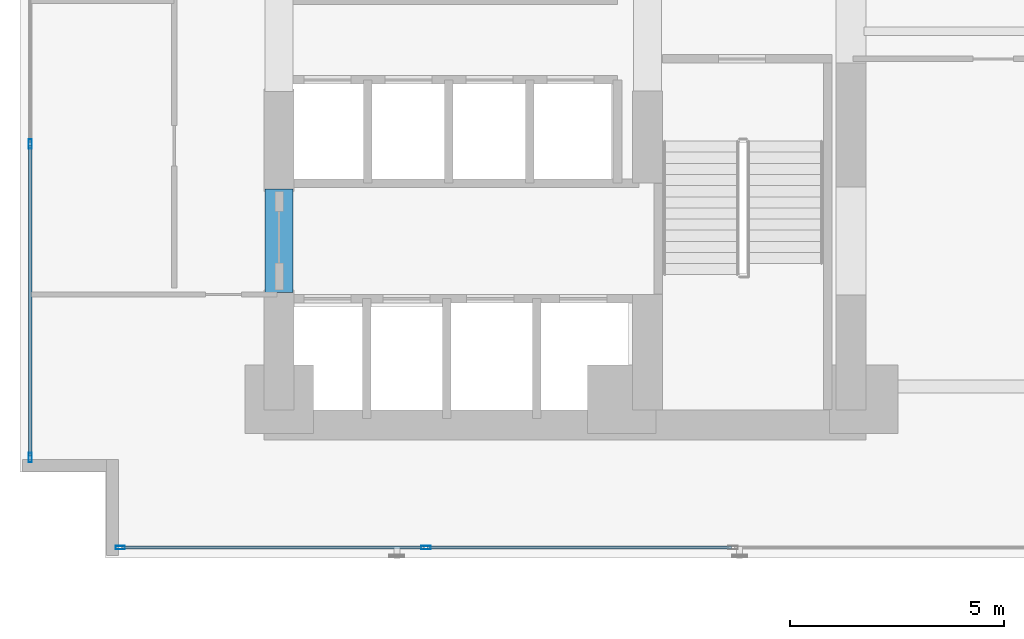
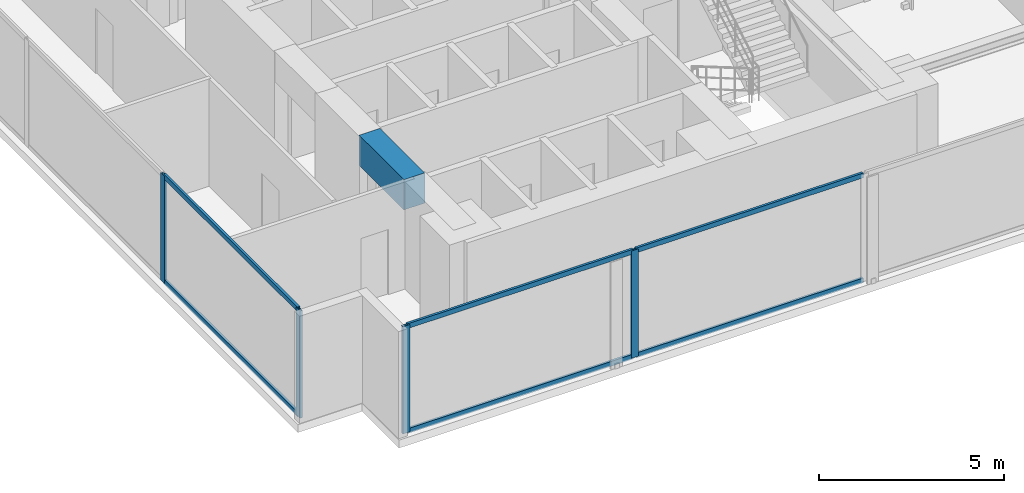
# One storey, part 2 of 28: 10 members, 1 beam, 2 elements without a shape of their own.
"""IFC4 building model written with IfcOpenShell, lengths in metres."""

import ifcopenshell
import ifcopenshell.guid

model = None  # the IFC model being written
_history = None  # IfcOwnerHistory: only IFC2X3 demands one
_inside = {}  # id of a spatial element -> (the spatial element, [elements in it])
_under = {}  # id of a project, library or spatial element -> (it, [spatial elements below it])
_declared = {}  # id of a project -> (the project, [libraries it declares])
_typed = {}  # id of a type object -> (the type object, [elements of that type])
_made_of = {}  # id of a material, layer set ... -> (it, [elements and type objects made of it])


def new_model(schema):
    """Start an empty IFC model of exactly this schema.

    Asked for "IFC4X3", IfcOpenShell would pick the latest addendum, in which some entities
    have other attributes; the version numbers below select the first issue.
    IFC2X3 requires an IfcOwnerHistory on every rooted entity: one is made here for all.
    """
    global model, _history
    if schema == "IFC4X3":
        model = ifcopenshell.file(schema_version=(4, 3, 0, 0))
    else:
        model = ifcopenshell.file(schema=schema)
    _inside.clear()
    _under.clear()
    _declared.clear()
    _typed.clear()
    _made_of.clear()
    _history = None
    if model.schema == "IFC2X3":
        org = make("IfcOrganization", Name="unknown")
        user = make(
            "IfcPersonAndOrganization",
            ThePerson=make("IfcPerson", FamilyName="unknown"),
            TheOrganization=org,
        )
        app = make(
            "IfcApplication",
            ApplicationDeveloper=org,
            Version="unknown",
            ApplicationFullName="unknown",
            ApplicationIdentifier="unknown",
        )
        _history = make(
            "IfcOwnerHistory",
            OwningUser=user,
            OwningApplication=app,
            ChangeAction="ADDED",
            CreationDate=0,
        )
    return model


def make(cls, **values):
    """One entity of the class cls with the attributes given. An attribute that is None is left unset."""
    return model.create_entity(
        cls, **{name: value for name, value in values.items() if value is not None}
    )


def rooted(cls, **values):
    """An entity with a GlobalId (a new one), such as an element, a storey or a relation."""
    return make(cls, GlobalId=ifcopenshell.guid.new(), OwnerHistory=_history, **values)


def si_unit(unit_type, name, prefix=None):
    """IfcSIUnit, for example si_unit("LENGTHUNIT", "METRE", prefix="MILLI")."""
    return make("IfcSIUnit", UnitType=unit_type, Prefix=prefix, Name=name)


def assignment(units):
    """IfcUnitAssignment: the units of a project."""
    return None if units is None else make("IfcUnitAssignment", Units=units)


def point(xyz):
    """IfcCartesianPoint."""
    return None if xyz is None else make("IfcCartesianPoint", Coordinates=xyz)


def direction(xyz):
    """IfcDirection."""
    return None if xyz is None else make("IfcDirection", DirectionRatios=xyz)


def frame(location, z_axis=None, x_axis=None):
    """IfcAxis2Placement3D, a coordinate frame: its origin and axes. An axis left out is left unset."""
    return make(
        "IfcAxis2Placement3D",
        Location=point(location),
        Axis=direction(z_axis),
        RefDirection=direction(x_axis),
    )


def frame_2d(location, x_axis=None):
    """IfcAxis2Placement2D, a coordinate frame in the plane: its origin and x axis."""
    return make(
        "IfcAxis2Placement2D", Location=point(location), RefDirection=direction(x_axis)
    )


def origin():
    """The frame at (0, 0, 0) with its axes left unset."""
    return frame((0.0, 0.0, 0.0))


def origin_with_axes():
    """The frame at (0, 0, 0) with the z axis (0, 0, 1) and the x axis (1, 0, 0) written out."""
    return frame((0.0, 0.0, 0.0), z_axis=(0.0, 0.0, 1.0), x_axis=(1.0, 0.0, 0.0))


def origin_2d():
    """The frame at (0, 0) in the plane with its x axis left unset."""
    return frame_2d((0.0, 0.0))


def place(relative_to, where):
    """IfcLocalPlacement: puts the frame where relative to a parent placement (None: the world)."""
    return make(
        "IfcLocalPlacement", PlacementRelTo=relative_to, RelativePlacement=where
    )


def context(
    kind, dimensions, precision=None, world=None, true_north=None, identifier=None
):
    """IfcGeometricRepresentationContext, for example the 3D "Model" context."""
    return make(
        "IfcGeometricRepresentationContext",
        ContextIdentifier=identifier,
        ContextType=kind,
        CoordinateSpaceDimension=dimensions,
        Precision=precision,
        WorldCoordinateSystem=world,
        TrueNorth=true_north,
    )


def subcontext(parent, identifier, kind, view, scale=None):
    """IfcGeometricRepresentationSubContext, for example "Body" below "Model"."""
    return make(
        "IfcGeometricRepresentationSubContext",
        ContextIdentifier=identifier,
        ContextType=kind,
        ParentContext=parent,
        TargetScale=scale,
        TargetView=view,
    )


def project(units=None, contexts=None):
    """IfcProject with its units and contexts."""
    return rooted(
        "IfcProject",
        Name="project",
        RepresentationContexts=contexts,
        UnitsInContext=assignment(units),
    )


def spatial(cls, under=None, at=None, **own):
    """A site, building, storey or space (cls), placed at a placement, below another one or the project."""
    s = rooted(cls, ObjectPlacement=at, **own)
    if under is not None:
        _under.setdefault(under.id(), (under, []))[1].append(s)
    return s


def profile(cls, at=None, kind="AREA", **sizes):
    """A parametric profile (cls). Its sizes go by their IFC names, for example OverallWidth=200.0."""
    return make(cls, ProfileType=kind, Position=at, **sizes)


def rectangle(**sizes):
    """IfcRectangleProfileDef."""
    return profile("IfcRectangleProfileDef", **sizes)


def hollow_rectangle(**sizes):
    """IfcRectangleHollowProfileDef."""
    return profile("IfcRectangleHollowProfileDef", **sizes)


def extrude(swept, where, along, depth):
    """IfcExtrudedAreaSolid: the profile swept, set in the frame where, extruded along a direction by depth."""
    return make(
        "IfcExtrudedAreaSolid",
        SweptArea=swept,
        Position=where,
        ExtrudedDirection=direction(along),
        Depth=depth,
    )


def shape(context_of_items, identifier, shape_type, items):
    """IfcShapeRepresentation: the items that make up one representation, for example the "Body"."""
    return make(
        "IfcShapeRepresentation",
        ContextOfItems=context_of_items,
        RepresentationIdentifier=identifier,
        RepresentationType=shape_type,
        Items=items,
    )


def source(mapping_origin, context_of_items, identifier, shape_type, items):
    """IfcRepresentationMap: a shape defined once, which mapped items show again and again."""
    return make(
        "IfcRepresentationMap",
        MappingOrigin=mapping_origin,
        MappedRepresentation=shape(context_of_items, identifier, shape_type, items),
    )


def transform(
    local_origin,
    x_axis=None,
    y_axis=None,
    z_axis=None,
    scale=None,
    scale2=None,
    scale3=None,
    uniform=True,
):
    """IfcCartesianTransformationOperator3D, or its non-uniform kind. x_axis, y_axis, z_axis: its Axis1, 2, 3."""
    if uniform:
        return make(
            "IfcCartesianTransformationOperator3D",
            Axis1=direction(x_axis),
            Axis2=direction(y_axis),
            LocalOrigin=point(local_origin),
            Scale=scale,
            Axis3=direction(z_axis),
        )
    return make(
        "IfcCartesianTransformationOperator3DnonUniform",
        Axis1=direction(x_axis),
        Axis2=direction(y_axis),
        LocalOrigin=point(local_origin),
        Scale=scale,
        Axis3=direction(z_axis),
        Scale2=scale2,
        Scale3=scale3,
    )


def mapped(mapping_source, mapping_target):
    """IfcMappedItem: shows the shape of a source again, moved by a transform."""
    return make(
        "IfcMappedItem", MappingSource=mapping_source, MappingTarget=mapping_target
    )


def material(Name=None, Category=None):
    """IfcMaterial."""
    return make("IfcMaterial", Name=Name, Category=Category)


def layer(
    of_material, thickness, ventilated=None, Name=None, Category=None, Priority=None
):
    """IfcMaterialLayer: one layer of a wall or slab, of a material (None: an air gap)."""
    return make(
        "IfcMaterialLayer",
        Material=of_material,
        LayerThickness=thickness,
        IsVentilated=ventilated,
        Name=Name,
        Category=Category,
        Priority=Priority,
    )


def layer_set(layers, Name=None):
    """IfcMaterialLayerSet."""
    return make("IfcMaterialLayerSet", MaterialLayers=layers, LayerSetName=Name)


def material_profile(
    of_material, cross_section, Name=None, Category=None, Priority=None
):
    """IfcMaterialProfile: a cross section and its material."""
    return make(
        "IfcMaterialProfile",
        Name=Name,
        Material=of_material,
        Profile=cross_section,
        Priority=Priority,
        Category=Category,
    )


def profile_set(profiles, Name=None, composite=None):
    """IfcMaterialProfileSet."""
    return make(
        "IfcMaterialProfileSet",
        Name=Name,
        MaterialProfiles=profiles,
        CompositeProfile=composite,
    )


def made_of(thing, what):
    """Note that an element or type object is made of a material, layer set ...; save() writes the relation."""
    if what is not None:
        _made_of.setdefault(what.id(), (what, []))[1].append(thing)
    return thing


def type_object(cls, material=None, **own):
    """A type object (cls), such as IfcWallType, which elements share."""
    return made_of(rooted(cls, **own), material)


def element(
    cls,
    number,
    at=None,
    inside=None,
    cuts=None,
    type_object=None,
    material=None,
    context=None,
    identifier="Body",
    shape_type=None,
    held_by="IfcProductDefinitionShape",
    body=None,
    shapes=None,
    **own,
):
    """One element of the class cls, such as IfcWall. Its Tag is "e" and its number.

    at: its placement. inside: the storey or other place that contains it. cuts: it is an
    opening in that element (IfcRelVoidsElement). A single representation is given by context,
    identifier, shape_type and body (its items); several are given by shapes. held_by: the class
    of the entity that holds the representations. save() writes the other relations.
    """
    e = rooted(cls, Tag="e%d" % number, ObjectPlacement=at, **own)
    if body is not None:
        shapes = [shape(context, identifier, shape_type, body)]
    if shapes is not None:
        e.Representation = make(held_by, Representations=shapes)
    if inside is not None:
        _inside.setdefault(inside.id(), (inside, []))[1].append(e)
    if cuts is not None:
        rooted(
            "IfcRelVoidsElement", RelatingBuildingElement=cuts, RelatedOpeningElement=e
        )
    if type_object is not None:
        _typed.setdefault(type_object.id(), (type_object, []))[1].append(e)
    return made_of(e, material)


def aggregate(whole, parts):
    """IfcRelAggregates: a whole, such as a stair, and the parts it consists of."""
    return rooted("IfcRelAggregates", RelatingObject=whole, RelatedObjects=parts)


def save(model, path):
    """Write the relations noted so far, then the file.

    IfcRelAggregates (storeys below a building ...), IfcRelContainedInSpatialStructure (elements
    in a storey), IfcRelDefinesByType, IfcRelAssociatesMaterial and IfcRelDeclares: one each for
    every whole, place, type object, material and project.
    """
    for whole, parts in _under.values():
        aggregate(whole, parts)
    for where, things in _inside.values():
        rooted(
            "IfcRelContainedInSpatialStructure",
            RelatedElements=things,
            RelatingStructure=where,
        )
    for kind, things in _typed.values():
        rooted("IfcRelDefinesByType", RelatedObjects=things, RelatingType=kind)
    for what, things in _made_of.values():
        rooted("IfcRelAssociatesMaterial", RelatedObjects=things, RelatingMaterial=what)
    for by, libraries in _declared.values():
        rooted("IfcRelDeclares", RelatingContext=by, RelatedDefinitions=libraries)
    model.write(path)


model = new_model("IFC4")

# Units and contexts
model_context = context("Model", 3, precision=1e-05, world=origin(), true_north=direction((0.0, 1.0)))
body_context = subcontext(model_context, "Body", "Model", "MODEL_VIEW")
ifc_project = project(units=[si_unit("LENGTHUNIT", "METRE"), si_unit("AREAUNIT", "SQUARE_METRE"), si_unit("VOLUMEUNIT", "CUBIC_METRE"), si_unit("PLANEANGLEUNIT", "RADIAN"), si_unit("MASSUNIT", "GRAM", prefix="KILO")], contexts=[model_context])

# Site, building, storey
site_placement = place(None, origin())
site = spatial("IfcSite", under=ifc_project, at=site_placement, CompositionType="ELEMENT")
building_placement = place(site_placement, origin())
building = spatial("IfcBuilding", under=site, at=building_placement, Name="Kolvaren Waterfront Exchange", CompositionType="ELEMENT")
storey_placement = place(building_placement, frame((0.0, 0.0, 56.199951171875)))
storey = spatial("IfcBuildingStorey", under=building, at=storey_placement, Name="L14", CompositionType="ELEMENT", Elevation=56.199951171875)

# Beam
ifc_material_1 = material(Name="Concrete C60/75", Category="concrete")
ifc_material_profile_1 = material_profile(ifc_material_1, rectangle(XDim=0.64990234375, YDim=1.0, at=origin_2d()), Name="RC-CB-1000x650")
ifc_profile_set_1 = profile_set([ifc_material_profile_1], Name="Concrete C60/75")
beam_type = type_object("IfcBeamType", Name="STR-CB-1000", PredefinedType="SPANDREL", material=ifc_profile_set_1)
beam_placement = place(storey_placement, frame((7.449951171875, 7.389892578125, 3.0400390625), z_axis=(0.0, 1.0, 0.0), x_axis=(-1.0, 0.0, 0.0)))
element("IfcBeam", 1, at=beam_placement, inside=storey, type_object=beam_type, Name="L14 core coupling beam 3", PredefinedType="SPANDREL", context=body_context, shape_type="SweptSolid", body=[
    extrude(rectangle(XDim=0.64990234375, YDim=1.0, at=origin_2d()), origin(), (0.0, 0.0, 1.0), 2.420166015625),
])

# Curtain wall, members
ifc_material_2 = material(Name="Anodised bronze aluminium 6063-T6", Category="aluminium")
ifc_layer_1 = layer(ifc_material_2, 0.219970703125, Name="Anodised bronze aluminium 6063-T6")
ifc_layer_set_1 = layer_set([ifc_layer_1], Name="Anodised bronze aluminium 6063-T6")
curtain_wall_type_1 = type_object("IfcCurtainWallType", Name="ARC-CW-SYS1", PredefinedType="USERDEFINED", material=ifc_layer_set_1)
curtain_wall_1_placement = place(storey_placement, origin())
curtain_wall_1 = element("IfcCurtainWall", 2, at=curtain_wall_1_placement, inside=storey, type_object=curtain_wall_type_1, Name="L14 stick curtain wall CW1 (CW-L14-S)", ObjectType="STICK CURTAIN WALL", PredefinedType="USERDEFINED")
ifc_material_3 = material(Name="Anodised aluminium 6063-T6", Category="aluminium")
ifc_material_profile_2 = material_profile(ifc_material_3, hollow_rectangle(XDim=0.074951171875, YDim=0.159912109375, WallThickness=0.00439453125, at=origin_2d()), Name="ALU-TRN-160x75x4.5")
ifc_profile_set_2 = profile_set([ifc_material_profile_2], Name="Anodised aluminium 6063-T6")
member_type_1 = type_object("IfcMemberType", Name="ARC-CWT-160", PredefinedType="USERDEFINED", material=ifc_profile_set_2)
shared_shape_1 = source(origin_with_axes(), body_context, "Body", "SweptSolid", [
    extrude(hollow_rectangle(XDim=0.074951171875, YDim=0.159912109375, WallThickness=0.00439453125, at=origin_2d()), origin(), (0.0, 0.0, 1.0), 7.054931640625),
])
member_1_placement = place(storey_placement, frame((3.780029296875, 1.43994140625, 0.03759765625), z_axis=(1.0, 0.0, 0.0), x_axis=(0.0, 1.0, 0.0)))
member_1 = element("IfcMember", 3, at=member_1_placement, type_object=member_type_1, Name="CW1 transom 1.1", ObjectType="TRANSOM", PredefinedType="USERDEFINED", context=body_context, shape_type="MappedRepresentation", body=[
    mapped(shared_shape_1, transform((0.0, 0.0, 0.0), x_axis=(1.0, 0.0, 0.0), y_axis=(0.0, 1.0, 0.0), z_axis=(0.0, 0.0, 1.0), scale=1.0)),
])
member_2_placement = place(storey_placement, frame((3.780029296875, 1.43994140625, 3.50244140625), z_axis=(1.0, 0.0, 0.0), x_axis=(0.0, 1.0, 0.0)))
member_2 = element("IfcMember", 4, at=member_2_placement, type_object=member_type_1, Name="CW1 transom 1.2", ObjectType="TRANSOM", PredefinedType="USERDEFINED", context=body_context, shape_type="MappedRepresentation", body=[
    mapped(shared_shape_1, transform((0.0, 0.0, 0.0), x_axis=(1.0, 0.0, 0.0), y_axis=(0.0, 1.0, 0.0), z_axis=(0.0, 0.0, 1.0), scale=1.0)),
])
shared_shape_2 = source(origin_with_axes(), body_context, "Body", "SweptSolid", [
    extrude(hollow_rectangle(XDim=0.074951171875, YDim=0.159912109375, WallThickness=0.00439453125, at=origin_2d()), origin(), (0.0, 0.0, 1.0), 7.094970703125),
])
member_3_placement = place(storey_placement, frame((10.9150390625, 1.43994140625, 0.03759765625), z_axis=(1.0, 0.0, 0.0), x_axis=(0.0, 1.0, 0.0)))
member_3 = element("IfcMember", 5, at=member_3_placement, type_object=member_type_1, Name="CW1 transom 2.1", ObjectType="TRANSOM", PredefinedType="USERDEFINED", context=body_context, shape_type="MappedRepresentation", body=[
    mapped(shared_shape_2, transform((0.0, 0.0, 0.0), x_axis=(1.0, 0.0, 0.0), y_axis=(0.0, 1.0, 0.0), z_axis=(0.0, 0.0, 1.0), scale=1.0)),
])
member_4_placement = place(storey_placement, frame((10.9150390625, 1.43994140625, 3.50244140625), z_axis=(1.0, 0.0, 0.0), x_axis=(0.0, 1.0, 0.0)))
member_4 = element("IfcMember", 6, at=member_4_placement, type_object=member_type_1, Name="CW1 transom 2.2", ObjectType="TRANSOM", PredefinedType="USERDEFINED", context=body_context, shape_type="MappedRepresentation", body=[
    mapped(shared_shape_2, transform((0.0, 0.0, 0.0), x_axis=(1.0, 0.0, 0.0), y_axis=(0.0, 1.0, 0.0), z_axis=(0.0, 0.0, 1.0), scale=1.0)),
])

ifc_layer_2 = layer(ifc_material_3, 0.219970703125, Name="Anodised aluminium 6063-T6")
ifc_layer_set_2 = layer_set([ifc_layer_2], Name="Anodised aluminium 6063-T6")
curtain_wall_type_2 = type_object("IfcCurtainWallType", Name="ARC-CW-SYS2", PredefinedType="USERDEFINED", material=ifc_layer_set_2)
curtain_wall_2_placement = place(storey_placement, origin())
curtain_wall_2 = element("IfcCurtainWall", 7, at=curtain_wall_2_placement, inside=storey, type_object=curtain_wall_type_2, Name="L14 stick curtain wall CW2 (CW-L14-W)", ObjectType="STICK CURTAIN WALL", PredefinedType="USERDEFINED")
shared_shape_3 = source(origin_with_axes(), body_context, "Body", "SweptSolid", [
    extrude(hollow_rectangle(XDim=0.074951171875, YDim=0.159912109375, WallThickness=0.00439453125, at=origin_2d()), origin(), (0.0, 0.0, 1.0), 7.24658203125),
])
member_5_placement = place(storey_placement, frame((1.639892578125, 3.580078125, 0.03759765625), z_axis=(0.0, 1.0, 0.0), x_axis=(-1.0, 0.0, 0.0)))
member_5 = element("IfcMember", 8, at=member_5_placement, type_object=member_type_1, Name="CW2 transom 1.1", ObjectType="TRANSOM", PredefinedType="USERDEFINED", context=body_context, shape_type="MappedRepresentation", body=[
    mapped(shared_shape_3, transform((0.0, 0.0, 0.0), x_axis=(1.0, 0.0, 0.0), y_axis=(0.0, 1.0, 0.0), z_axis=(0.0, 0.0, 1.0), scale=1.0)),
])
member_6_placement = place(storey_placement, frame((1.639892578125, 3.580078125, 3.50244140625), z_axis=(0.0, 1.0, 0.0), x_axis=(-1.0, 0.0, 0.0)))
member_6 = element("IfcMember", 9, at=member_6_placement, type_object=member_type_1, Name="CW2 transom 1.2", ObjectType="TRANSOM", PredefinedType="USERDEFINED", context=body_context, shape_type="MappedRepresentation", body=[
    mapped(shared_shape_3, transform((0.0, 0.0, 0.0), x_axis=(1.0, 0.0, 0.0), y_axis=(0.0, 1.0, 0.0), z_axis=(0.0, 0.0, 1.0), scale=1.0)),
])

# Member
ifc_material_profile_3 = material_profile(ifc_material_3, hollow_rectangle(XDim=0.080078125, YDim=0.219970703125, WallThickness=0.0048828125, at=origin_2d()), Name="ALU-MUL-220x80x5")
ifc_profile_set_3 = profile_set([ifc_material_profile_3], Name="Anodised aluminium 6063-T6")
member_type_2 = type_object("IfcMemberType", Name="ARC-CWM-220", PredefinedType="MULLION", material=ifc_profile_set_3)
shared_shape_4 = source(origin_with_axes(), body_context, "Body", "SweptSolid", [
    extrude(hollow_rectangle(XDim=0.080078125, YDim=0.219970703125, WallThickness=0.0048828125, at=origin_2d()), origin(), (0.0, 0.0, 1.0), 3.5400390625),
])
member_7_placement = place(storey_placement, frame((3.739990234375, 1.43994140625, 0.0), z_axis=(0.0, 0.0, 1.0), x_axis=(0.0, 1.0, 0.0)))
member_7 = element("IfcMember", 10, at=member_7_placement, type_object=member_type_2, Name="CW1 mullion 1", PredefinedType="MULLION", context=body_context, shape_type="MappedRepresentation", body=[
    mapped(shared_shape_4, transform((0.0, 0.0, 0.0), x_axis=(1.0, 0.0, 0.0), y_axis=(0.0, 1.0, 0.0), z_axis=(0.0, 0.0, 1.0), scale=1.0)),
])

member_8_placement = place(storey_placement, frame((10.875, 1.43994140625, 0.0), z_axis=(0.0, 0.0, 1.0), x_axis=(0.0, 1.0, 0.0)))
member_8 = element("IfcMember", 11, at=member_8_placement, type_object=member_type_2, Name="CW1 mullion 2", PredefinedType="MULLION", context=body_context, shape_type="MappedRepresentation", body=[
    mapped(shared_shape_4, transform((0.0, 0.0, 0.0), x_axis=(1.0, 0.0, 0.0), y_axis=(0.0, 1.0, 0.0), z_axis=(0.0, 0.0, 1.0), scale=1.0)),
])

aggregate(curtain_wall_1, [member_7, member_8, member_1, member_2, member_3, member_4])

member_9_placement = place(storey_placement, frame((1.639892578125, 3.5400390625, 0.0), z_axis=(0.0, 0.0, 1.0), x_axis=(-1.0, 0.0, 0.0)))
member_9 = element("IfcMember", 12, at=member_9_placement, type_object=member_type_2, Name="CW2 mullion 1", PredefinedType="MULLION", context=body_context, shape_type="MappedRepresentation", body=[
    mapped(shared_shape_4, transform((0.0, 0.0, 0.0), x_axis=(1.0, 0.0, 0.0), y_axis=(0.0, 1.0, 0.0), z_axis=(0.0, 0.0, 1.0), scale=1.0)),
])

member_10_placement = place(storey_placement, frame((1.639892578125, 10.86669921875, 0.0), z_axis=(0.0, 0.0, 1.0), x_axis=(-1.0, 0.0, 0.0)))
member_10 = element("IfcMember", 13, at=member_10_placement, type_object=member_type_2, Name="CW2 mullion 2", PredefinedType="MULLION", context=body_context, shape_type="MappedRepresentation", body=[
    mapped(shared_shape_4, transform((0.0, 0.0, 0.0), x_axis=(1.0, 0.0, 0.0), y_axis=(0.0, 1.0, 0.0), z_axis=(0.0, 0.0, 1.0), scale=1.0)),
])

aggregate(curtain_wall_2, [member_9, member_10, member_5, member_6])

save(model, "model.ifc")
